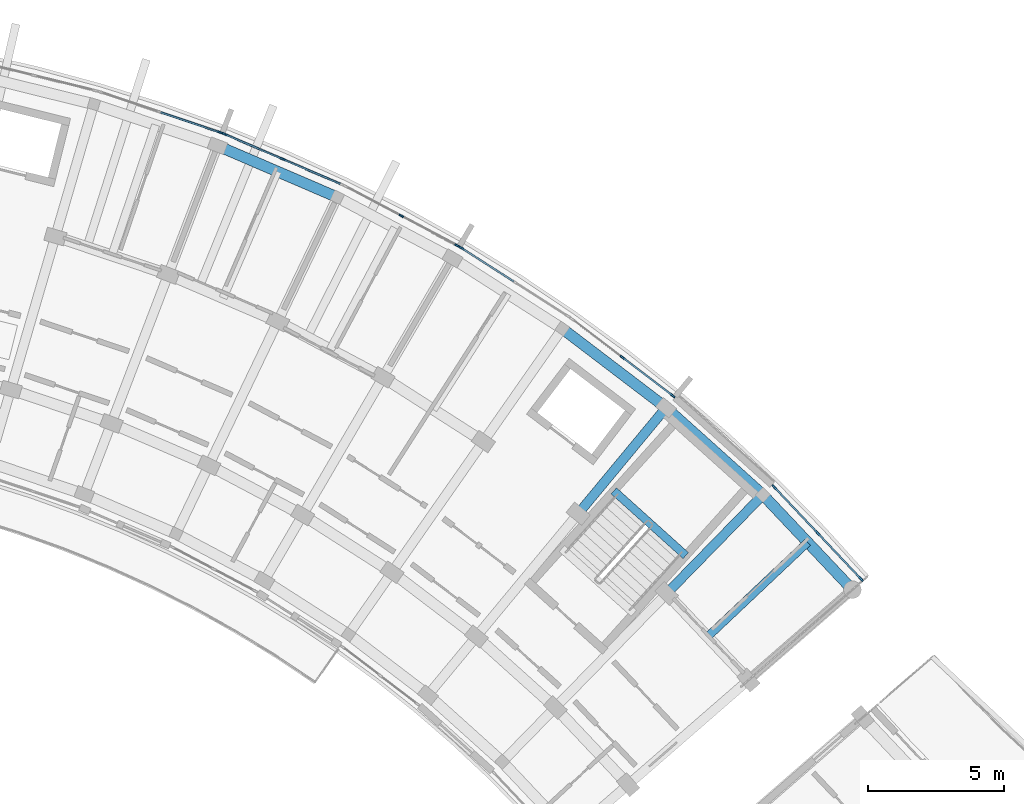
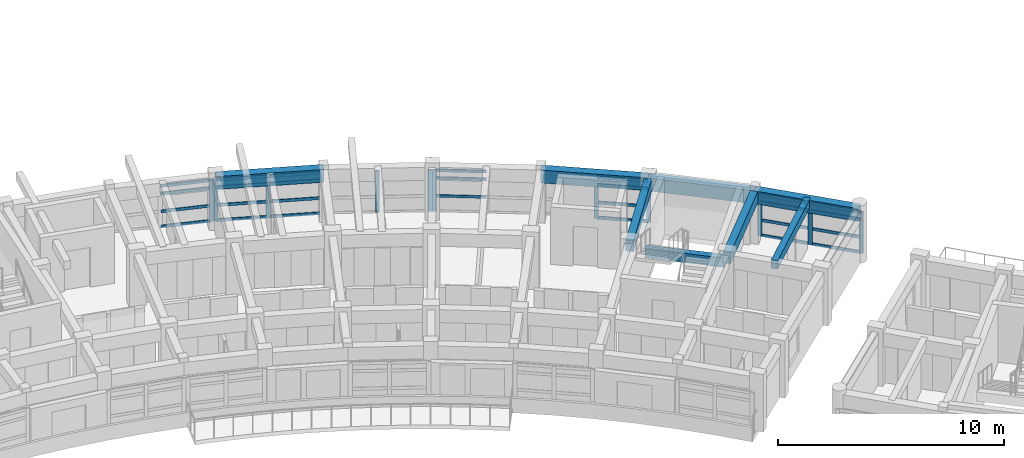
# One storey, part 15 of 54: 38 members, 8 beams, 6 elements without a shape of their own.
"""IFC4 building model written with IfcOpenShell, lengths in metres."""

from ifc_helpers import new_model, si_unit, direction, frame, origin, origin_2d, place, context, subcontext, project, spatial, rectangle, extrude, material, material_profile, profile_set, type_object, element, aggregate, save


model = new_model("IFC4")

# Units and contexts
model_context = context("Model", 3, precision=1e-05, world=origin(), true_north=direction((0.0, 1.0)))
body_context = subcontext(model_context, "Body", "Model", "MODEL_VIEW")
ifc_project = project(units=[si_unit("LENGTHUNIT", "METRE"), si_unit("AREAUNIT", "SQUARE_METRE"), si_unit("VOLUMEUNIT", "CUBIC_METRE"), si_unit("PLANEANGLEUNIT", "RADIAN"), si_unit("MASSUNIT", "GRAM", prefix="KILO")], contexts=[model_context])

# Site, building, storey
site_placement = place(None, origin())
site = spatial("IfcSite", under=ifc_project, at=site_placement, CompositionType="ELEMENT")
building_placement = place(site_placement, origin())
building = spatial("IfcBuilding", under=site, at=building_placement, Name="Zimvara Arc Housing Community", CompositionType="ELEMENT")
storey_placement = place(building_placement, frame((0.0, 0.0, 23.60009765625)))
storey = spatial("IfcBuildingStorey", under=building, at=storey_placement, Name="L07", CompositionType="ELEMENT", Elevation=23.60009765625)

# Beams
ifc_material_1 = material(Name="Concrete C40/50", Category="concrete")
ifc_material_profile_1 = material_profile(ifc_material_1, rectangle(XDim=0.300048828125, YDim=0.449951171875, at=origin_2d()), Name="RC 300x450")
ifc_profile_set_1 = profile_set([ifc_material_profile_1], Name="Concrete C40/50")
beam_type_1 = type_object("IfcBeamType", Name="BM-RC-300x450", PredefinedType="JOIST", material=ifc_profile_set_1)
beam_1_placement = place(storey_placement, frame((84.095703125, 81.3935546875, 2.635009765625), z_axis=(0.727299876429, 0.686319815936, 0.0), x_axis=(-0.686319815936, 0.727299876429, 0.0)))
element("IfcBeam", 1, at=beam_1_placement, inside=storey, type_object=beam_type_1, Name="bm:blkB:L07:joist:b9", PredefinedType="JOIST", context=body_context, shape_type="SweptSolid", body=[
    extrude(rectangle(XDim=0.300048828125, YDim=0.449951171875, at=origin_2d()), origin(), (0.0, 0.0, 1.0), 5.075927734375),
])
ifc_material_2 = material(Name="Concrete C40/50", Category="concrete")
ifc_material_profile_2 = material_profile(ifc_material_2, rectangle(XDim=0.300048828125, YDim=0.5, at=origin_2d()), Name="RC 300x500")
ifc_profile_set_2 = profile_set([ifc_material_profile_2], Name="Concrete C40/50")
beam_type_2 = type_object("IfcBeamType", Name="BM-RC-300x500", PredefinedType="BEAM", material=ifc_profile_set_2)
beam_2_placement = place(storey_placement, frame((83.2900390625, 84.38671875, 1.2998046875), z_axis=(-0.743396155404, 0.668851370732, 0.0), x_axis=(-0.668851370732, -0.743396155404, 0.0)))
element("IfcBeam", 2, at=beam_2_placement, inside=storey, type_object=beam_type_2, Name="bm:stair_trim:ST-B2:L07:mid", PredefinedType="BEAM", context=body_context, shape_type="SweptSolid", body=[
    extrude(rectangle(XDim=0.300048828125, YDim=0.5, at=origin_2d()), origin(), (0.0, 0.0, 1.0), 3.56982421875),
])
ifc_material_3 = material(Name="Concrete C40/50", Category="concrete")
ifc_material_profile_3 = material_profile(ifc_material_3, rectangle(XDim=0.35009765625, YDim=0.60009765625, at=origin_2d()), Name="RC 350x600")
ifc_profile_set_3 = profile_set([ifc_material_profile_3], Name="Concrete C40/50")
beam_type_3 = type_object("IfcBeamType", Name="BM-RC-350x600", PredefinedType="BEAM", material=ifc_profile_set_3)
for number, where, z_axis, x_axis, name in (
    (3, (79.322265625, 85.9296875, 2.559814453125), (0.637983669165, 0.77004989311, 0.0), (-0.77004989311, 0.637983669165, 0.0), "bm:blkB:L07:rad:b8:r23"),
    (4, (82.588134765625, 82.9912109375, 2.559814453125), (0.698670885014, 0.71544321538, 0.0), (-0.71544321538, 0.698670885014, 0.0), "bm:blkB:L07:rad:b9:r23"),
):
    element("IfcBeam", number, at=place(storey_placement, frame(where, z_axis=z_axis, x_axis=x_axis)), inside=storey, type_object=beam_type_3, Name=name, PredefinedType="BEAM", context=body_context, shape_type="SweptSolid", body=[
        extrude(rectangle(XDim=0.35009765625, YDim=0.60009765625, at=origin_2d()), origin(), (0.0, 0.0, 1.0), 5.080078125),
    ])
ifc_material_4 = material(Name="Concrete C40/50", Category="concrete")
ifc_material_profile_4 = material_profile(ifc_material_4, rectangle(XDim=0.39990234375, YDim=0.699951171875, at=origin_2d()), Name="RC 400x700")
ifc_profile_set_4 = profile_set([ifc_material_profile_4], Name="Concrete C40/50")
beam_type_4 = type_object("IfcBeamType", Name="BM-RC-400x700", PredefinedType="BEAM", material=ifc_profile_set_4)
for number, where, z_axis, x_axis, name in (
    (5, (66.02392578125, 99.49853515625, 2.510009765625), (0.918724276228, -0.394899612901, 0.0), (0.394899612901, 0.918724276228, 0.0), "bm:blkB:L07:chord:r3:b4"),
    (6, (78.738525390625, 92.755126953125, 2.510009765625), (0.795480673672, -0.605978958228, 0.0), (0.605978958228, 0.795480673672, 0.0), "bm:blkB:L07:chord:r3:b7"),
):
    element("IfcBeam", number, at=place(storey_placement, frame(where, z_axis=z_axis, x_axis=x_axis)), inside=storey, type_object=beam_type_4, Name=name, PredefinedType="BEAM", context=body_context, shape_type="SweptSolid", body=[
        extrude(rectangle(XDim=0.39990234375, YDim=0.699951171875, at=origin_2d()), origin(), (0.0, 0.0, 1.0), 4.80810546875),
    ])
beam_3_placement = place(storey_placement, frame((82.563232421875, 89.841552734375, 2.510009765625), z_axis=(0.743395133402, -0.668852506637, 0.0), x_axis=(0.668852506637, 0.743395133402, 0.0)))
element("IfcBeam", 7, at=beam_3_placement, inside=storey, type_object=beam_type_4, Name="bm:blkB:L07:chord:r3:b8", PredefinedType="BEAM", context=body_context, shape_type="SweptSolid", body=[
    extrude(rectangle(XDim=0.39990234375, YDim=0.699951171875, at=origin_2d()), origin(), (0.0, 0.0, 1.0), 4.807861328125),
])
beam_4_placement = place(storey_placement, frame((86.137451171875, 86.625732421875, 2.510009765625), z_axis=(0.6862954451, -0.727322873307, 0.0), x_axis=(0.727322873307, 0.6862954451, 0.0)))
element("IfcBeam", 8, at=beam_4_placement, inside=storey, type_object=beam_type_4, Name="bm:blkB:L07:chord:r3:b9", PredefinedType="BEAM", context=body_context, shape_type="SweptSolid", body=[
    extrude(rectangle(XDim=0.39990234375, YDim=0.699951171875, at=origin_2d()), origin(), (0.0, 0.0, 1.0), 4.80810546875),
])

# Curtain wall, members
ifc_material_5 = material(Name="Anodised Aluminium AW-6063", Category="aluminium")
curtain_wall_type_1 = type_object("IfcCurtainWallType", Name="CW-SYS-06", PredefinedType="USERDEFINED", material=ifc_material_5)
curtain_wall_1_placement = place(storey_placement, origin())
curtain_wall_1 = element("IfcCurtainWall", 9, at=curtain_wall_1_placement, inside=storey, type_object=curtain_wall_type_1, Name="cw:blkB:L07:out:b5", ObjectType="CURTAIN WALL", PredefinedType="USERDEFINED")
ifc_material_6 = material(Name="Anodised Aluminium AW-6063", Category="aluminium")
ifc_material_profile_5 = material_profile(ifc_material_6, rectangle(XDim=0.06494140625, YDim=0.179931640625, at=origin_2d()), Name="ALU 65x180")
ifc_profile_set_5 = profile_set([ifc_material_profile_5], Name="Anodised Aluminium AW-6063")
member_type_1 = type_object("IfcMemberType", Name="CWM-65x150", PredefinedType="MULLION", material=ifc_profile_set_5)
member_1_placement = place(storey_placement, frame((72.799072265625, 96.914794921875, 0.0), z_axis=(0.0, 0.0, 1.0), x_axis=(0.468546917761, 0.883438614651, 0.0)))
member_1 = element("IfcMember", 10, at=member_1_placement, type_object=member_type_1, Name="CW06 mullion 2", PredefinedType="MULLION", context=body_context, shape_type="SweptSolid", body=[
    extrude(rectangle(XDim=0.06494140625, YDim=0.179931640625, at=origin_2d()), origin(), (0.0, 0.0, 1.0), 2.25),
])
member_2_placement = place(storey_placement, frame((74.859130859375, 95.822265625, 0.0), z_axis=(0.0, 0.0, 1.0), x_axis=(0.468546917761, 0.883438614651, 0.0)))
member_2 = element("IfcMember", 11, at=member_2_placement, type_object=member_type_1, Name="CW06 mullion 3", PredefinedType="MULLION", context=body_context, shape_type="SweptSolid", body=[
    extrude(rectangle(XDim=0.06494140625, YDim=0.179931640625, at=origin_2d()), origin(), (0.0, 0.0, 1.0), 2.25),
])
aggregate(curtain_wall_1, [member_1, member_2])

# Curtain wall, member
ifc_material_7 = material(Name="Anodised Aluminium AW-6063", Category="aluminium")
curtain_wall_type_2 = type_object("IfcCurtainWallType", Name="CW-SYS-08", PredefinedType="USERDEFINED", material=ifc_material_7)
curtain_wall_2_placement = place(storey_placement, origin())
curtain_wall_2 = element("IfcCurtainWall", 12, at=curtain_wall_2_placement, inside=storey, type_object=curtain_wall_type_2, Name="cw:blkB:L07:out:b6", ObjectType="CURTAIN WALL", PredefinedType="USERDEFINED")
member_3_placement = place(storey_placement, frame((75.018798828125, 95.72900390625, 0.0), z_axis=(0.0, 0.0, 1.0), x_axis=(0.539064617721, 0.842264410931, 0.0)))
member_3 = element("IfcMember", 13, at=member_3_placement, type_object=member_type_1, Name="CW08 mullion 1", PredefinedType="MULLION", context=body_context, shape_type="SweptSolid", body=[
    extrude(rectangle(XDim=0.06494140625, YDim=0.179931640625, at=origin_2d()), origin(), (0.0, 0.0, 1.0), 2.25),
])

ifc_material_8 = material(Name="Anodised Aluminium AW-6063", Category="aluminium")
curtain_wall_type_3 = type_object("IfcCurtainWallType", Name="CW-SYS-03", PredefinedType="USERDEFINED", material=ifc_material_8)
curtain_wall_3_placement = place(storey_placement, origin())
curtain_wall_3 = element("IfcCurtainWall", 14, at=curtain_wall_3_placement, inside=storey, type_object=curtain_wall_type_3, Name="cw:blkB:L07:out:b3", ObjectType="CURTAIN WALL", PredefinedType="USERDEFINED")
ifc_material_9 = material(Name="Anodised Aluminium AW-6063", Category="aluminium")
ifc_material_profile_6 = material_profile(ifc_material_9, rectangle(XDim=0.06494140625, YDim=0.195068359375, at=origin_2d()), Name="ALU 65x195")
ifc_profile_set_6 = profile_set([ifc_material_profile_6], Name="Anodised Aluminium AW-6063")
member_type_2 = type_object("IfcMemberType", Name="CWM-65x180", PredefinedType="MULLION", material=ifc_profile_set_6)
member_4_placement = place(storey_placement, frame((66.11474609375, 99.9951171875, 0.0), z_axis=(0.0, 0.0, 1.0), x_axis=(0.318628583921, 0.947879647164, 0.0)))
member_4 = element("IfcMember", 15, at=member_4_placement, type_object=member_type_2, Name="CW03 mullion 3", PredefinedType="MULLION", context=body_context, shape_type="SweptSolid", body=[
    extrude(rectangle(XDim=0.06494140625, YDim=0.195068359375, at=origin_2d()), origin(), (0.0, 0.0, 1.0), 2.25),
])

# Curtain wall, members
ifc_material_10 = material(Name="Anodised Aluminium AW-6063", Category="aluminium")
curtain_wall_type_4 = type_object("IfcCurtainWallType", Name="CW-SYS-05", PredefinedType="USERDEFINED", material=ifc_material_10)
curtain_wall_4_placement = place(storey_placement, origin())
curtain_wall_4 = element("IfcCurtainWall", 16, at=curtain_wall_4_placement, inside=storey, type_object=curtain_wall_type_4, Name="cw:blkB:L07:out:b4", ObjectType="CURTAIN WALL", PredefinedType="USERDEFINED")
member_5_placement = place(storey_placement, frame((66.287353515625, 99.92919921875, 0.0), z_axis=(0.0, 0.0, 1.0), x_axis=(0.394904211998, 0.918722299363, 0.0)))
member_5 = element("IfcMember", 17, at=member_5_placement, type_object=member_type_2, Name="CW05 mullion 1", PredefinedType="MULLION", context=body_context, shape_type="SweptSolid", body=[
    extrude(rectangle(XDim=0.06494140625, YDim=0.195068359375, at=origin_2d()), origin(), (0.0, 0.0, 1.0), 2.25),
])
member_6_placement = place(storey_placement, frame((68.429931640625, 99.00830078125, 0.0), z_axis=(0.0, 0.0, 1.0), x_axis=(0.394904211998, 0.918722299363, 0.0)))
member_6 = element("IfcMember", 18, at=member_6_placement, type_object=member_type_2, Name="CW05 mullion 2", PredefinedType="MULLION", context=body_context, shape_type="SweptSolid", body=[
    extrude(rectangle(XDim=0.06494140625, YDim=0.195068359375, at=origin_2d()), origin(), (0.0, 0.0, 1.0), 2.25),
])

ifc_material_11 = material(Name="Anodised Aluminium AW-6063", Category="aluminium")
curtain_wall_type_5 = type_object("IfcCurtainWallType", Name="CW-SYS-01", PredefinedType="USERDEFINED", material=ifc_material_11)
curtain_wall_5_placement = place(storey_placement, origin())
curtain_wall_5 = element("IfcCurtainWall", 19, at=curtain_wall_5_placement, inside=storey, type_object=curtain_wall_type_5, Name="cw:blkB:L07:out:b7", ObjectType="CURTAIN WALL", PredefinedType="USERDEFINED")
member_7_placement = place(storey_placement, frame((80.95361328125, 91.69580078125, 0.0), z_axis=(0.0, 0.0, 1.0), x_axis=(0.60598771987, 0.795473999177, 0.0)))
member_7 = element("IfcMember", 20, at=member_7_placement, type_object=member_type_2, Name="CW01 mullion 2", PredefinedType="MULLION", context=body_context, shape_type="SweptSolid", body=[
    extrude(rectangle(XDim=0.06494140625, YDim=0.195068359375, at=origin_2d()), origin(), (0.0, 0.0, 1.0), 2.25),
])
member_8_placement = place(storey_placement, frame((82.80859375, 90.28271484375, 0.0), z_axis=(0.0, 0.0, 1.0), x_axis=(0.60598771987, 0.795473999177, 0.0)))
member_8 = element("IfcMember", 21, at=member_8_placement, type_object=member_type_2, Name="CW01 mullion 3", PredefinedType="MULLION", context=body_context, shape_type="SweptSolid", body=[
    extrude(rectangle(XDim=0.06494140625, YDim=0.195068359375, at=origin_2d()), origin(), (0.0, 0.0, 1.0), 2.25),
])

curtain_wall_6_placement = place(storey_placement, origin())
curtain_wall_6 = element("IfcCurtainWall", 22, at=curtain_wall_6_placement, inside=storey, type_object=curtain_wall_type_3, Name="cw:blkB:L07:out:b9", ObjectType="CURTAIN WALL", PredefinedType="USERDEFINED")
member_9_placement = place(storey_placement, frame((86.55029296875, 86.916015625, 0.0), z_axis=(0.0, 0.0, 1.0), x_axis=(0.727293647725, 0.686326416495, 0.0)))
member_9 = element("IfcMember", 23, at=member_9_placement, type_object=member_type_2, Name="CW03 mullion 1", PredefinedType="MULLION", context=body_context, shape_type="SweptSolid", body=[
    extrude(rectangle(XDim=0.06494140625, YDim=0.195068359375, at=origin_2d()), origin(), (0.0, 0.0, 1.0), 2.25),
])
member_10_placement = place(storey_placement, frame((88.150634765625, 85.219970703125, 0.0), z_axis=(0.0, 0.0, 1.0), x_axis=(0.727293647725, 0.686326416495, 0.0)))
member_10 = element("IfcMember", 24, at=member_10_placement, type_object=member_type_2, Name="CW03 mullion 2", PredefinedType="MULLION", context=body_context, shape_type="SweptSolid", body=[
    extrude(rectangle(XDim=0.06494140625, YDim=0.195068359375, at=origin_2d()), origin(), (0.0, 0.0, 1.0), 2.25),
])
member_11_placement = place(storey_placement, frame((89.751220703125, 83.524169921875, 0.0), z_axis=(0.0, 0.0, 1.0), x_axis=(0.727293647725, 0.686326416495, 0.0)))
member_11 = element("IfcMember", 25, at=member_11_placement, type_object=member_type_2, Name="CW03 mullion 3", PredefinedType="MULLION", context=body_context, shape_type="SweptSolid", body=[
    extrude(rectangle(XDim=0.06494140625, YDim=0.195068359375, at=origin_2d()), origin(), (0.0, 0.0, 1.0), 2.25),
])

# Member
ifc_material_12 = material(Name="Anodised Aluminium AW-6063", Category="aluminium")
ifc_material_profile_7 = material_profile(ifc_material_12, rectangle(XDim=0.06494140625, YDim=0.139892578125, at=origin_2d()), Name="ALU 65x140")
ifc_profile_set_7 = profile_set([ifc_material_profile_7], Name="Anodised Aluminium AW-6063")
member_type_3 = type_object("IfcMemberType", Name="CWT-65x120", PredefinedType="USERDEFINED", material=ifc_profile_set_7)
member_12_placement = place(storey_placement, frame((75.046142578125, 95.71142578125, 0.849853515625), z_axis=(0.842292914806, -0.539020079095, 0.0), x_axis=(0.539020079095, 0.842292914806, 0.0)))
member_12 = element("IfcMember", 26, at=member_12_placement, type_object=member_type_3, Name="CW08 transom 1.2", ObjectType="TRANSOM", PredefinedType="USERDEFINED", context=body_context, shape_type="SweptSolid", body=[
    extrude(rectangle(XDim=0.06494140625, YDim=0.139892578125, at=origin_2d()), origin(), (0.0, 0.0, 1.0), 2.266845703125),
])

member_13_placement = place(storey_placement, frame((75.046142578125, 95.71142578125, 1.7998046875), z_axis=(0.842292914806, -0.539020079095, 0.0), x_axis=(0.539020079095, 0.842292914806, 0.0)))
member_13 = element("IfcMember", 27, at=member_13_placement, type_object=member_type_3, Name="CW08 transom 1.3", ObjectType="TRANSOM", PredefinedType="USERDEFINED", context=body_context, shape_type="SweptSolid", body=[
    extrude(rectangle(XDim=0.06494140625, YDim=0.139892578125, at=origin_2d()), origin(), (0.0, 0.0, 1.0), 2.266845703125),
])

member_14_placement = place(storey_placement, frame((75.046142578125, 95.71142578125, 2.21728515625), z_axis=(0.842292914806, -0.539020079095, 0.0), x_axis=(0.539020079095, 0.842292914806, 0.0)))
member_14 = element("IfcMember", 28, at=member_14_placement, type_object=member_type_3, Name="CW08 transom 1.4", ObjectType="TRANSOM", PredefinedType="USERDEFINED", context=body_context, shape_type="SweptSolid", body=[
    extrude(rectangle(XDim=0.06494140625, YDim=0.139892578125, at=origin_2d()), origin(), (0.0, 0.0, 1.0), 2.266845703125),
])

aggregate(curtain_wall_2, [member_3, member_12, member_13, member_14])

ifc_material_13 = material(Name="Anodised Aluminium AW-6063", Category="aluminium")
ifc_material_profile_8 = material_profile(ifc_material_13, rectangle(XDim=0.06494140625, YDim=0.155029296875, at=origin_2d()), Name="ALU 65x155")
ifc_profile_set_8 = profile_set([ifc_material_profile_8], Name="Anodised Aluminium AW-6063")
member_type_4 = type_object("IfcMemberType", Name="CWT-65x140", PredefinedType="USERDEFINED", material=ifc_profile_set_8)
member_15_placement = place(storey_placement, frame((63.935302734375, 100.727783203125, 0.032470703125), z_axis=(0.947861605379, -0.318682250916, 0.0), x_axis=(0.318682250916, 0.947861605379, 0.0)))
member_15 = element("IfcMember", 29, at=member_15_placement, type_object=member_type_4, Name="CW03 transom 2.1", ObjectType="TRANSOM", PredefinedType="USERDEFINED", context=body_context, shape_type="SweptSolid", body=[
    extrude(rectangle(XDim=0.06494140625, YDim=0.155029296875, at=origin_2d()), origin(), (0.0, 0.0, 1.0), 2.266845703125),
])

member_16_placement = place(storey_placement, frame((63.935302734375, 100.727783203125, 0.849853515625), z_axis=(0.947861605379, -0.318682250916, 0.0), x_axis=(0.318682250916, 0.947861605379, 0.0)))
member_16 = element("IfcMember", 30, at=member_16_placement, type_object=member_type_4, Name="CW03 transom 2.2", ObjectType="TRANSOM", PredefinedType="USERDEFINED", context=body_context, shape_type="SweptSolid", body=[
    extrude(rectangle(XDim=0.06494140625, YDim=0.155029296875, at=origin_2d()), origin(), (0.0, 0.0, 1.0), 2.266845703125),
])

member_17_placement = place(storey_placement, frame((63.935302734375, 100.727783203125, 1.7998046875), z_axis=(0.947861605379, -0.318682250916, 0.0), x_axis=(0.318682250916, 0.947861605379, 0.0)))
member_17 = element("IfcMember", 31, at=member_17_placement, type_object=member_type_4, Name="CW03 transom 2.3", ObjectType="TRANSOM", PredefinedType="USERDEFINED", context=body_context, shape_type="SweptSolid", body=[
    extrude(rectangle(XDim=0.06494140625, YDim=0.155029296875, at=origin_2d()), origin(), (0.0, 0.0, 1.0), 2.266845703125),
])

member_18_placement = place(storey_placement, frame((63.935302734375, 100.727783203125, 2.21728515625), z_axis=(0.947861605379, -0.318682250916, 0.0), x_axis=(0.318682250916, 0.947861605379, 0.0)))
member_18 = element("IfcMember", 32, at=member_18_placement, type_object=member_type_4, Name="CW03 transom 2.4", ObjectType="TRANSOM", PredefinedType="USERDEFINED", context=body_context, shape_type="SweptSolid", body=[
    extrude(rectangle(XDim=0.06494140625, YDim=0.155029296875, at=origin_2d()), origin(), (0.0, 0.0, 1.0), 2.266845703125),
])

aggregate(curtain_wall_3, [member_4, member_15, member_16, member_17, member_18])

member_19_placement = place(storey_placement, frame((66.3173828125, 99.916259765625, 0.032470703125), z_axis=(0.918704360712, -0.394945942641, 0.0), x_axis=(0.394945942641, 0.918704360712, 0.0)))
member_19 = element("IfcMember", 33, at=member_19_placement, type_object=member_type_4, Name="CW05 transom 1.1", ObjectType="TRANSOM", PredefinedType="USERDEFINED", context=body_context, shape_type="SweptSolid", body=[
    extrude(rectangle(XDim=0.06494140625, YDim=0.155029296875, at=origin_2d()), origin(), (0.0, 0.0, 1.0), 2.266845703125),
])

member_20_placement = place(storey_placement, frame((66.3173828125, 99.916259765625, 0.849853515625), z_axis=(0.918704360712, -0.394945942641, 0.0), x_axis=(0.394945942641, 0.918704360712, 0.0)))
member_20 = element("IfcMember", 34, at=member_20_placement, type_object=member_type_4, Name="CW05 transom 1.2", ObjectType="TRANSOM", PredefinedType="USERDEFINED", context=body_context, shape_type="SweptSolid", body=[
    extrude(rectangle(XDim=0.06494140625, YDim=0.155029296875, at=origin_2d()), origin(), (0.0, 0.0, 1.0), 2.266845703125),
])

member_21_placement = place(storey_placement, frame((66.3173828125, 99.916259765625, 1.7998046875), z_axis=(0.918704360712, -0.394945942641, 0.0), x_axis=(0.394945942641, 0.918704360712, 0.0)))
member_21 = element("IfcMember", 35, at=member_21_placement, type_object=member_type_4, Name="CW05 transom 1.3", ObjectType="TRANSOM", PredefinedType="USERDEFINED", context=body_context, shape_type="SweptSolid", body=[
    extrude(rectangle(XDim=0.06494140625, YDim=0.155029296875, at=origin_2d()), origin(), (0.0, 0.0, 1.0), 2.266845703125),
])

member_22_placement = place(storey_placement, frame((66.3173828125, 99.916259765625, 2.21728515625), z_axis=(0.918704360712, -0.394945942641, 0.0), x_axis=(0.394945942641, 0.918704360712, 0.0)))
member_22 = element("IfcMember", 36, at=member_22_placement, type_object=member_type_4, Name="CW05 transom 1.4", ObjectType="TRANSOM", PredefinedType="USERDEFINED", context=body_context, shape_type="SweptSolid", body=[
    extrude(rectangle(XDim=0.06494140625, YDim=0.155029296875, at=origin_2d()), origin(), (0.0, 0.0, 1.0), 2.266845703125),
])

member_23_placement = place(storey_placement, frame((68.459716796875, 98.995361328125, 0.032470703125), z_axis=(0.918721157939, -0.394906867444, 0.0), x_axis=(0.394906867444, 0.918721157939, 0.0)))
member_23 = element("IfcMember", 37, at=member_23_placement, type_object=member_type_4, Name="CW05 transom 2.1", ObjectType="TRANSOM", PredefinedType="USERDEFINED", context=body_context, shape_type="SweptSolid", body=[
    extrude(rectangle(XDim=0.06494140625, YDim=0.155029296875, at=origin_2d()), origin(), (0.0, 0.0, 1.0), 2.26708984375),
])

member_24_placement = place(storey_placement, frame((68.459716796875, 98.995361328125, 0.849853515625), z_axis=(0.918721157939, -0.394906867444, 0.0), x_axis=(0.394906867444, 0.918721157939, 0.0)))
member_24 = element("IfcMember", 38, at=member_24_placement, type_object=member_type_4, Name="CW05 transom 2.2", ObjectType="TRANSOM", PredefinedType="USERDEFINED", context=body_context, shape_type="SweptSolid", body=[
    extrude(rectangle(XDim=0.06494140625, YDim=0.155029296875, at=origin_2d()), origin(), (0.0, 0.0, 1.0), 2.26708984375),
])

member_25_placement = place(storey_placement, frame((68.459716796875, 98.995361328125, 1.7998046875), z_axis=(0.918721157939, -0.394906867444, 0.0), x_axis=(0.394906867444, 0.918721157939, 0.0)))
member_25 = element("IfcMember", 39, at=member_25_placement, type_object=member_type_4, Name="CW05 transom 2.3", ObjectType="TRANSOM", PredefinedType="USERDEFINED", context=body_context, shape_type="SweptSolid", body=[
    extrude(rectangle(XDim=0.06494140625, YDim=0.155029296875, at=origin_2d()), origin(), (0.0, 0.0, 1.0), 2.26708984375),
])

member_26_placement = place(storey_placement, frame((68.459716796875, 98.995361328125, 2.21728515625), z_axis=(0.918721157939, -0.394906867444, 0.0), x_axis=(0.394906867444, 0.918721157939, 0.0)))
member_26 = element("IfcMember", 40, at=member_26_placement, type_object=member_type_4, Name="CW05 transom 2.4", ObjectType="TRANSOM", PredefinedType="USERDEFINED", context=body_context, shape_type="SweptSolid", body=[
    extrude(rectangle(XDim=0.06494140625, YDim=0.155029296875, at=origin_2d()), origin(), (0.0, 0.0, 1.0), 2.26708984375),
])

aggregate(curtain_wall_4, [member_5, member_6, member_19, member_20, member_21, member_22, member_23, member_24, member_25, member_26])

member_27_placement = place(storey_placement, frame((80.9794921875, 91.676025390625, 0.032470703125), z_axis=(0.795505886513, -0.605945859399, 0.0), x_axis=(0.605945859399, 0.795505886513, 0.0)))
member_27 = element("IfcMember", 41, at=member_27_placement, type_object=member_type_4, Name="CW01 transom 2.1", ObjectType="TRANSOM", PredefinedType="USERDEFINED", context=body_context, shape_type="SweptSolid", body=[
    extrude(rectangle(XDim=0.06494140625, YDim=0.155029296875, at=origin_2d()), origin(), (0.0, 0.0, 1.0), 2.266845703125),
])

member_28_placement = place(storey_placement, frame((80.9794921875, 91.676025390625, 0.849853515625), z_axis=(0.795505886513, -0.605945859399, 0.0), x_axis=(0.605945859399, 0.795505886513, 0.0)))
member_28 = element("IfcMember", 42, at=member_28_placement, type_object=member_type_4, Name="CW01 transom 2.2", ObjectType="TRANSOM", PredefinedType="USERDEFINED", context=body_context, shape_type="SweptSolid", body=[
    extrude(rectangle(XDim=0.06494140625, YDim=0.155029296875, at=origin_2d()), origin(), (0.0, 0.0, 1.0), 2.266845703125),
])

member_29_placement = place(storey_placement, frame((80.9794921875, 91.676025390625, 1.7998046875), z_axis=(0.795505886513, -0.605945859399, 0.0), x_axis=(0.605945859399, 0.795505886513, 0.0)))
member_29 = element("IfcMember", 43, at=member_29_placement, type_object=member_type_4, Name="CW01 transom 2.3", ObjectType="TRANSOM", PredefinedType="USERDEFINED", context=body_context, shape_type="SweptSolid", body=[
    extrude(rectangle(XDim=0.06494140625, YDim=0.155029296875, at=origin_2d()), origin(), (0.0, 0.0, 1.0), 2.266845703125),
])

member_30_placement = place(storey_placement, frame((80.9794921875, 91.676025390625, 2.21728515625), z_axis=(0.795505886513, -0.605945859399, 0.0), x_axis=(0.605945859399, 0.795505886513, 0.0)))
member_30 = element("IfcMember", 44, at=member_30_placement, type_object=member_type_4, Name="CW01 transom 2.4", ObjectType="TRANSOM", PredefinedType="USERDEFINED", context=body_context, shape_type="SweptSolid", body=[
    extrude(rectangle(XDim=0.06494140625, YDim=0.155029296875, at=origin_2d()), origin(), (0.0, 0.0, 1.0), 2.266845703125),
])

aggregate(curtain_wall_5, [member_7, member_8, member_27, member_28, member_29, member_30])

member_31_placement = place(storey_placement, frame((86.572509765625, 86.892333984375, 0.032470703125), z_axis=(0.686348357589, -0.727272941911, 0.0), x_axis=(0.727272941911, 0.686348357589, 0.0)))
member_31 = element("IfcMember", 45, at=member_31_placement, type_object=member_type_4, Name="CW03 transom 1.1", ObjectType="TRANSOM", PredefinedType="USERDEFINED", context=body_context, shape_type="SweptSolid", body=[
    extrude(rectangle(XDim=0.06494140625, YDim=0.155029296875, at=origin_2d()), origin(), (0.0, 0.0, 1.0), 2.266845703125),
])

member_32_placement = place(storey_placement, frame((86.572509765625, 86.892333984375, 0.849853515625), z_axis=(0.686348357589, -0.727272941911, 0.0), x_axis=(0.727272941911, 0.686348357589, 0.0)))
member_32 = element("IfcMember", 46, at=member_32_placement, type_object=member_type_4, Name="CW03 transom 1.2", ObjectType="TRANSOM", PredefinedType="USERDEFINED", context=body_context, shape_type="SweptSolid", body=[
    extrude(rectangle(XDim=0.06494140625, YDim=0.155029296875, at=origin_2d()), origin(), (0.0, 0.0, 1.0), 2.266845703125),
])

member_33_placement = place(storey_placement, frame((86.572509765625, 86.892333984375, 1.7998046875), z_axis=(0.686348357589, -0.727272941911, 0.0), x_axis=(0.727272941911, 0.686348357589, 0.0)))
member_33 = element("IfcMember", 47, at=member_33_placement, type_object=member_type_4, Name="CW03 transom 1.3", ObjectType="TRANSOM", PredefinedType="USERDEFINED", context=body_context, shape_type="SweptSolid", body=[
    extrude(rectangle(XDim=0.06494140625, YDim=0.155029296875, at=origin_2d()), origin(), (0.0, 0.0, 1.0), 2.266845703125),
])

member_34_placement = place(storey_placement, frame((86.572509765625, 86.892333984375, 2.21728515625), z_axis=(0.686348357589, -0.727272941911, 0.0), x_axis=(0.727272941911, 0.686348357589, 0.0)))
member_34 = element("IfcMember", 48, at=member_34_placement, type_object=member_type_4, Name="CW03 transom 1.4", ObjectType="TRANSOM", PredefinedType="USERDEFINED", context=body_context, shape_type="SweptSolid", body=[
    extrude(rectangle(XDim=0.06494140625, YDim=0.155029296875, at=origin_2d()), origin(), (0.0, 0.0, 1.0), 2.266845703125),
])

member_35_placement = place(storey_placement, frame((88.173095703125, 85.196533203125, 0.032470703125), z_axis=(0.68623762882, -0.727377423894, 0.0), x_axis=(0.727377423894, 0.68623762882, 0.0)))
member_35 = element("IfcMember", 49, at=member_35_placement, type_object=member_type_4, Name="CW03 transom 2.1", ObjectType="TRANSOM", PredefinedType="USERDEFINED", context=body_context, shape_type="SweptSolid", body=[
    extrude(rectangle(XDim=0.06494140625, YDim=0.155029296875, at=origin_2d()), origin(), (0.0, 0.0, 1.0), 2.266845703125),
])

member_36_placement = place(storey_placement, frame((88.173095703125, 85.196533203125, 0.849853515625), z_axis=(0.68623762882, -0.727377423894, 0.0), x_axis=(0.727377423894, 0.68623762882, 0.0)))
member_36 = element("IfcMember", 50, at=member_36_placement, type_object=member_type_4, Name="CW03 transom 2.2", ObjectType="TRANSOM", PredefinedType="USERDEFINED", context=body_context, shape_type="SweptSolid", body=[
    extrude(rectangle(XDim=0.06494140625, YDim=0.155029296875, at=origin_2d()), origin(), (0.0, 0.0, 1.0), 2.266845703125),
])

member_37_placement = place(storey_placement, frame((88.173095703125, 85.196533203125, 1.7998046875), z_axis=(0.68623762882, -0.727377423894, 0.0), x_axis=(0.727377423894, 0.68623762882, 0.0)))
member_37 = element("IfcMember", 51, at=member_37_placement, type_object=member_type_4, Name="CW03 transom 2.3", ObjectType="TRANSOM", PredefinedType="USERDEFINED", context=body_context, shape_type="SweptSolid", body=[
    extrude(rectangle(XDim=0.06494140625, YDim=0.155029296875, at=origin_2d()), origin(), (0.0, 0.0, 1.0), 2.266845703125),
])

member_38_placement = place(storey_placement, frame((88.173095703125, 85.196533203125, 2.21728515625), z_axis=(0.68623762882, -0.727377423894, 0.0), x_axis=(0.727377423894, 0.68623762882, 0.0)))
member_38 = element("IfcMember", 52, at=member_38_placement, type_object=member_type_4, Name="CW03 transom 2.4", ObjectType="TRANSOM", PredefinedType="USERDEFINED", context=body_context, shape_type="SweptSolid", body=[
    extrude(rectangle(XDim=0.06494140625, YDim=0.155029296875, at=origin_2d()), origin(), (0.0, 0.0, 1.0), 2.266845703125),
])

aggregate(curtain_wall_6, [member_9, member_10, member_11, member_31, member_32, member_33, member_34, member_35, member_36, member_37, member_38])

save(model, "model.ifc")
